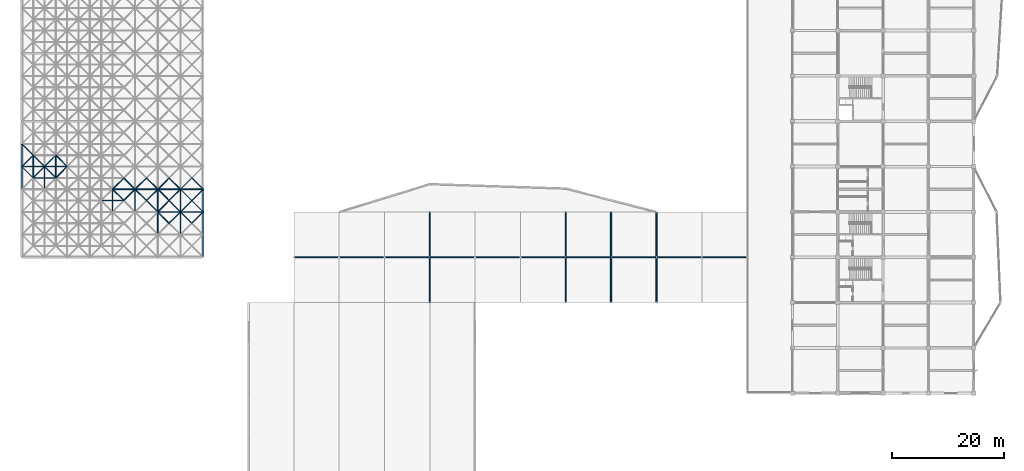
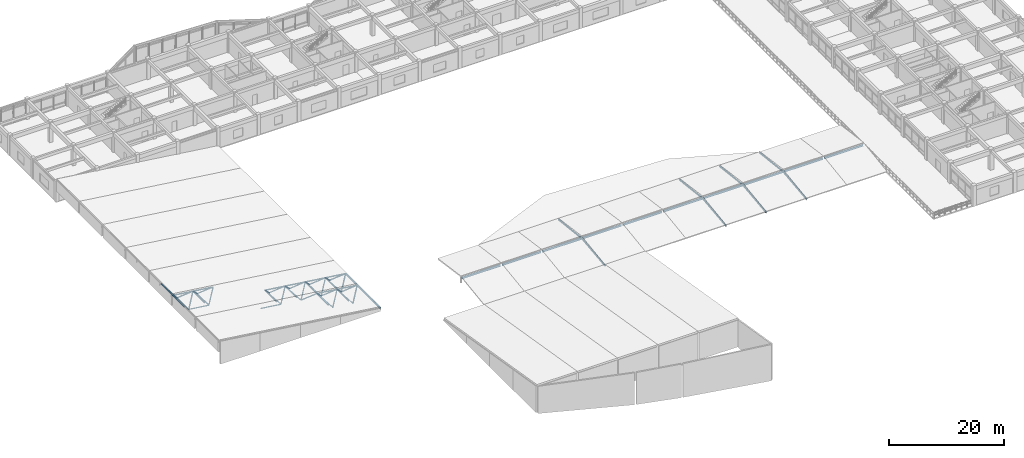
# One storey, part 16 of 70: 66 members, 6 beams.
"""IFC4 building model written with IfcOpenShell, lengths in metres."""

import ifcopenshell
import ifcopenshell.guid

model = None  # the IFC model being written
_history = None  # IfcOwnerHistory: only IFC2X3 demands one
_inside = {}  # id of a spatial element -> (the spatial element, [elements in it])
_under = {}  # id of a project, library or spatial element -> (it, [spatial elements below it])
_declared = {}  # id of a project -> (the project, [libraries it declares])
_typed = {}  # id of a type object -> (the type object, [elements of that type])
_made_of = {}  # id of a material, layer set ... -> (it, [elements and type objects made of it])


def new_model(schema):
    """Start an empty IFC model of exactly this schema.

    Asked for "IFC4X3", IfcOpenShell would pick the latest addendum, in which some entities
    have other attributes; the version numbers below select the first issue.
    IFC2X3 requires an IfcOwnerHistory on every rooted entity: one is made here for all.
    """
    global model, _history
    if schema == "IFC4X3":
        model = ifcopenshell.file(schema_version=(4, 3, 0, 0))
    else:
        model = ifcopenshell.file(schema=schema)
    _inside.clear()
    _under.clear()
    _declared.clear()
    _typed.clear()
    _made_of.clear()
    _history = None
    if model.schema == "IFC2X3":
        org = make("IfcOrganization", Name="unknown")
        user = make(
            "IfcPersonAndOrganization",
            ThePerson=make("IfcPerson", FamilyName="unknown"),
            TheOrganization=org,
        )
        app = make(
            "IfcApplication",
            ApplicationDeveloper=org,
            Version="unknown",
            ApplicationFullName="unknown",
            ApplicationIdentifier="unknown",
        )
        _history = make(
            "IfcOwnerHistory",
            OwningUser=user,
            OwningApplication=app,
            ChangeAction="ADDED",
            CreationDate=0,
        )
    return model


def make(cls, **values):
    """One entity of the class cls with the attributes given. An attribute that is None is left unset."""
    return model.create_entity(
        cls, **{name: value for name, value in values.items() if value is not None}
    )


def rooted(cls, **values):
    """An entity with a GlobalId (a new one), such as an element, a storey or a relation."""
    return make(cls, GlobalId=ifcopenshell.guid.new(), OwnerHistory=_history, **values)


def si_unit(unit_type, name, prefix=None):
    """IfcSIUnit, for example si_unit("LENGTHUNIT", "METRE", prefix="MILLI")."""
    return make("IfcSIUnit", UnitType=unit_type, Prefix=prefix, Name=name)


def assignment(units):
    """IfcUnitAssignment: the units of a project."""
    return None if units is None else make("IfcUnitAssignment", Units=units)


def point(xyz):
    """IfcCartesianPoint."""
    return None if xyz is None else make("IfcCartesianPoint", Coordinates=xyz)


def direction(xyz):
    """IfcDirection."""
    return None if xyz is None else make("IfcDirection", DirectionRatios=xyz)


def frame(location, z_axis=None, x_axis=None):
    """IfcAxis2Placement3D, a coordinate frame: its origin and axes. An axis left out is left unset."""
    return make(
        "IfcAxis2Placement3D",
        Location=point(location),
        Axis=direction(z_axis),
        RefDirection=direction(x_axis),
    )


def frame_2d(location, x_axis=None):
    """IfcAxis2Placement2D, a coordinate frame in the plane: its origin and x axis."""
    return make(
        "IfcAxis2Placement2D", Location=point(location), RefDirection=direction(x_axis)
    )


def origin():
    """The frame at (0, 0, 0) with its axes left unset."""
    return frame((0.0, 0.0, 0.0))


def origin_2d():
    """The frame at (0, 0) in the plane with its x axis left unset."""
    return frame_2d((0.0, 0.0))


def place(relative_to, where):
    """IfcLocalPlacement: puts the frame where relative to a parent placement (None: the world)."""
    return make(
        "IfcLocalPlacement", PlacementRelTo=relative_to, RelativePlacement=where
    )


def context(
    kind, dimensions, precision=None, world=None, true_north=None, identifier=None
):
    """IfcGeometricRepresentationContext, for example the 3D "Model" context."""
    return make(
        "IfcGeometricRepresentationContext",
        ContextIdentifier=identifier,
        ContextType=kind,
        CoordinateSpaceDimension=dimensions,
        Precision=precision,
        WorldCoordinateSystem=world,
        TrueNorth=true_north,
    )


def subcontext(parent, identifier, kind, view, scale=None):
    """IfcGeometricRepresentationSubContext, for example "Body" below "Model"."""
    return make(
        "IfcGeometricRepresentationSubContext",
        ContextIdentifier=identifier,
        ContextType=kind,
        ParentContext=parent,
        TargetScale=scale,
        TargetView=view,
    )


def project(units=None, contexts=None):
    """IfcProject with its units and contexts."""
    return rooted(
        "IfcProject",
        Name="project",
        RepresentationContexts=contexts,
        UnitsInContext=assignment(units),
    )


def spatial(cls, under=None, at=None, **own):
    """A site, building, storey or space (cls), placed at a placement, below another one or the project."""
    s = rooted(cls, ObjectPlacement=at, **own)
    if under is not None:
        _under.setdefault(under.id(), (under, []))[1].append(s)
    return s


def profile(cls, at=None, kind="AREA", **sizes):
    """A parametric profile (cls). Its sizes go by their IFC names, for example OverallWidth=200.0."""
    return make(cls, ProfileType=kind, Position=at, **sizes)


def hollow_rectangle(**sizes):
    """IfcRectangleHollowProfileDef."""
    return profile("IfcRectangleHollowProfileDef", **sizes)


def hollow_circle(**sizes):
    """IfcCircleHollowProfileDef."""
    return profile("IfcCircleHollowProfileDef", **sizes)


def i_section(**sizes):
    """IfcIShapeProfileDef."""
    return profile("IfcIShapeProfileDef", **sizes)


def extrude(swept, where, along, depth):
    """IfcExtrudedAreaSolid: the profile swept, set in the frame where, extruded along a direction by depth."""
    return make(
        "IfcExtrudedAreaSolid",
        SweptArea=swept,
        Position=where,
        ExtrudedDirection=direction(along),
        Depth=depth,
    )


def shape(context_of_items, identifier, shape_type, items):
    """IfcShapeRepresentation: the items that make up one representation, for example the "Body"."""
    return make(
        "IfcShapeRepresentation",
        ContextOfItems=context_of_items,
        RepresentationIdentifier=identifier,
        RepresentationType=shape_type,
        Items=items,
    )


def material(Name=None, Category=None):
    """IfcMaterial."""
    return make("IfcMaterial", Name=Name, Category=Category)


def material_profile(
    of_material, cross_section, Name=None, Category=None, Priority=None
):
    """IfcMaterialProfile: a cross section and its material."""
    return make(
        "IfcMaterialProfile",
        Name=Name,
        Material=of_material,
        Profile=cross_section,
        Priority=Priority,
        Category=Category,
    )


def profile_set(profiles, Name=None, composite=None):
    """IfcMaterialProfileSet."""
    return make(
        "IfcMaterialProfileSet",
        Name=Name,
        MaterialProfiles=profiles,
        CompositeProfile=composite,
    )


def made_of(thing, what):
    """Note that an element or type object is made of a material, layer set ...; save() writes the relation."""
    if what is not None:
        _made_of.setdefault(what.id(), (what, []))[1].append(thing)
    return thing


def type_object(cls, material=None, **own):
    """A type object (cls), such as IfcWallType, which elements share."""
    return made_of(rooted(cls, **own), material)


def element(
    cls,
    number,
    at=None,
    inside=None,
    cuts=None,
    type_object=None,
    material=None,
    context=None,
    identifier="Body",
    shape_type=None,
    held_by="IfcProductDefinitionShape",
    body=None,
    shapes=None,
    **own,
):
    """One element of the class cls, such as IfcWall. Its Tag is "e" and its number.

    at: its placement. inside: the storey or other place that contains it. cuts: it is an
    opening in that element (IfcRelVoidsElement). A single representation is given by context,
    identifier, shape_type and body (its items); several are given by shapes. held_by: the class
    of the entity that holds the representations. save() writes the other relations.
    """
    e = rooted(cls, Tag="e%d" % number, ObjectPlacement=at, **own)
    if body is not None:
        shapes = [shape(context, identifier, shape_type, body)]
    if shapes is not None:
        e.Representation = make(held_by, Representations=shapes)
    if inside is not None:
        _inside.setdefault(inside.id(), (inside, []))[1].append(e)
    if cuts is not None:
        rooted(
            "IfcRelVoidsElement", RelatingBuildingElement=cuts, RelatedOpeningElement=e
        )
    if type_object is not None:
        _typed.setdefault(type_object.id(), (type_object, []))[1].append(e)
    return made_of(e, material)


def aggregate(whole, parts):
    """IfcRelAggregates: a whole, such as a stair, and the parts it consists of."""
    return rooted("IfcRelAggregates", RelatingObject=whole, RelatedObjects=parts)


def save(model, path):
    """Write the relations noted so far, then the file.

    IfcRelAggregates (storeys below a building ...), IfcRelContainedInSpatialStructure (elements
    in a storey), IfcRelDefinesByType, IfcRelAssociatesMaterial and IfcRelDeclares: one each for
    every whole, place, type object, material and project.
    """
    for whole, parts in _under.values():
        aggregate(whole, parts)
    for where, things in _inside.values():
        rooted(
            "IfcRelContainedInSpatialStructure",
            RelatedElements=things,
            RelatingStructure=where,
        )
    for kind, things in _typed.values():
        rooted("IfcRelDefinesByType", RelatedObjects=things, RelatingType=kind)
    for what, things in _made_of.values():
        rooted("IfcRelAssociatesMaterial", RelatedObjects=things, RelatingMaterial=what)
    for by, libraries in _declared.values():
        rooted("IfcRelDeclares", RelatingContext=by, RelatedDefinitions=libraries)
    model.write(path)


model = new_model("IFC4")

# Units and contexts
model_context = context("Model", 3, precision=1e-05, world=origin(), true_north=direction((0.0, 1.0)))
body_context = subcontext(model_context, "Body", "Model", "MODEL_VIEW")
ifc_project = project(units=[si_unit("LENGTHUNIT", "METRE"), si_unit("AREAUNIT", "SQUARE_METRE"), si_unit("VOLUMEUNIT", "CUBIC_METRE"), si_unit("PLANEANGLEUNIT", "RADIAN"), si_unit("MASSUNIT", "GRAM", prefix="KILO")], contexts=[model_context])

# Site, building, storey
site_placement = place(None, origin())
site = spatial("IfcSite", under=ifc_project, at=site_placement, CompositionType="ELEMENT")
building_placement = place(site_placement, origin())
building = spatial("IfcBuilding", under=site, at=building_placement, Name="Vaudrelin Polytechnic", CompositionType="ELEMENT")
storey_placement = place(building_placement, frame((0.0, 0.0, 14.110107421875)))
storey = spatial("IfcBuildingStorey", under=building, at=storey_placement, Name="L03", CompositionType="ELEMENT", Elevation=14.110107421875)

# Beams
ifc_material_1 = material(Name="Steel CSA G40.21 350W", Category="steel")
ifc_material_profile_1 = material_profile(ifc_material_1, i_section(OverallWidth=0.178955078125, OverallDepth=0.409912109375, WebThickness=0.0087890625, FlangeThickness=0.014404296875, FilletRadius=0.01611328125, at=origin_2d()), Name="W410x67")
ifc_profile_set_1 = profile_set([ifc_material_profile_1], Name="Steel CSA G40.21 350W")
beam_type = type_object("IfcBeamType", Name="BM-BM-W410", PredefinedType="BEAM", material=ifc_profile_set_1)
beam_1_placement = place(storey_placement, frame((48.719970703125, 40.5, 0.933349609375), z_axis=(1.0, 0.0, 0.0), x_axis=(0.0, 1.0, 0.0)))
element("IfcBeam", 1, at=beam_1_placement, inside=storey, type_object=beam_type, Name="Winter-garden skylight ridge spine beam 1", PredefinedType="BEAM", context=body_context, shape_type="SweptSolid", body=[
    extrude(i_section(OverallWidth=0.178955078125, OverallDepth=0.409912109375, WebThickness=0.0087890625, FlangeThickness=0.014404296875, FilletRadius=0.01611328125, at=origin_2d()), origin(), (0.0, 0.0, 1.0), 7.860107421875),
])
beam_2_placement = place(storey_placement, frame((56.820068359375, 40.5, 0.933349609375), z_axis=(1.0, 0.0, 0.0), x_axis=(0.0, 1.0, 0.0)))
element("IfcBeam", 2, at=beam_2_placement, inside=storey, type_object=beam_type, Name="Winter-garden skylight ridge spine beam 2", PredefinedType="BEAM", context=body_context, shape_type="SweptSolid", body=[
    extrude(i_section(OverallWidth=0.178955078125, OverallDepth=0.409912109375, WebThickness=0.0087890625, FlangeThickness=0.014404296875, FilletRadius=0.01611328125, at=origin_2d()), origin(), (0.0, 0.0, 1.0), 7.85986328125),
])
beam_3_placement = place(storey_placement, frame((64.919921875, 40.5, 0.933349609375), z_axis=(1.0, 0.0, 0.0), x_axis=(0.0, 1.0, 0.0)))
element("IfcBeam", 3, at=beam_3_placement, inside=storey, type_object=beam_type, Name="Winter-garden skylight ridge spine beam 3", PredefinedType="BEAM", context=body_context, shape_type="SweptSolid", body=[
    extrude(i_section(OverallWidth=0.178955078125, OverallDepth=0.409912109375, WebThickness=0.0087890625, FlangeThickness=0.014404296875, FilletRadius=0.01611328125, at=origin_2d()), origin(), (0.0, 0.0, 1.0), 15.9599609375),
])
beam_4_placement = place(storey_placement, frame((81.1201171875, 40.5, 0.933349609375), z_axis=(1.0, 0.0, 0.0), x_axis=(0.0, 1.0, 0.0)))
element("IfcBeam", 4, at=beam_4_placement, inside=storey, type_object=beam_type, Name="Winter-garden skylight ridge spine beam 4", PredefinedType="BEAM", context=body_context, shape_type="SweptSolid", body=[
    extrude(i_section(OverallWidth=0.178955078125, OverallDepth=0.409912109375, WebThickness=0.0087890625, FlangeThickness=0.014404296875, FilletRadius=0.01611328125, at=origin_2d()), origin(), (0.0, 0.0, 1.0), 7.85986328125),
])
beam_5_placement = place(storey_placement, frame((89.219970703125, 40.5, 0.933349609375), z_axis=(1.0, 0.0, 0.0), x_axis=(0.0, 1.0, 0.0)))
element("IfcBeam", 5, at=beam_5_placement, inside=storey, type_object=beam_type, Name="Winter-garden skylight ridge spine beam 5", PredefinedType="BEAM", context=body_context, shape_type="SweptSolid", body=[
    extrude(i_section(OverallWidth=0.178955078125, OverallDepth=0.409912109375, WebThickness=0.0087890625, FlangeThickness=0.014404296875, FilletRadius=0.01611328125, at=origin_2d()), origin(), (0.0, 0.0, 1.0), 32.159912109375),
])
beam_6_placement = place(storey_placement, frame((121.6201171875, 40.5, 0.933349609375), z_axis=(1.0, 0.0, 0.0), x_axis=(0.0, 1.0, 0.0)))
element("IfcBeam", 6, at=beam_6_placement, inside=storey, type_object=beam_type, Name="Winter-garden skylight ridge spine beam 6", PredefinedType="BEAM", context=body_context, shape_type="SweptSolid", body=[
    extrude(i_section(OverallWidth=0.178955078125, OverallDepth=0.409912109375, WebThickness=0.0087890625, FlangeThickness=0.014404296875, FilletRadius=0.01611328125, at=origin_2d()), origin(), (0.0, 0.0, 1.0), 7.85986328125),
])

# Members
ifc_material_2 = material(Name="Steel CSA G40.21 350WT", Category="steel")
ifc_material_profile_2 = material_profile(ifc_material_2, hollow_circle(Radius=0.109619140625, WallThickness=0.010986328125, at=origin_2d()), Name="CHS219.1x11.1")
ifc_profile_set_2 = profile_set([ifc_material_profile_2], Name="Steel CSA G40.21 350WT")
member_type_1 = type_object("IfcMemberType", Name="MEM-SF-BC1", PredefinedType="CHORD", material=ifc_profile_set_2)
for number, where, z_axis, x_axis, name in (
    (7, (14.175048828125, 50.625, 0.439208984375), (0.991444732077, 0.0, -0.130527174324), (0.0, 1.0, 0.0), "Space frame bottom chord X 4-3"),
    (8, (2.02490234375, 54.675048828125, 2.038818359375), (0.991444732077, 0.0, -0.130527174324), (0.0, 1.0, 0.0), "Space frame bottom chord X 1-4"),
):
    element("IfcMember", number, at=place(storey_placement, frame(where, z_axis=z_axis, x_axis=x_axis)), inside=storey, type_object=member_type_1, Name=name, PredefinedType="CHORD", context=body_context, shape_type="SweptSolid", body=[
        extrude(hollow_circle(Radius=0.109619140625, WallThickness=0.010986328125, at=origin_2d()), origin(), (0.0, 0.0, 1.0), 4.0849609375),
    ])
for number, where, z_axis, x_axis, name in (
    (9, (2.02490234375, 54.675048828125, 2.038818359375), (0.0, 1.0, 0.0), (-1.0, 0.0, 0.0), "Space frame bottom chord Y 1-4"),
    (10, (6.074951171875, 54.675048828125, 1.505615234375), (0.0, 1.0, 0.0), (-1.0, 0.0, 0.0), "Space frame bottom chord Y 2-4"),
):
    element("IfcMember", number, at=place(storey_placement, frame(where, z_axis=z_axis, x_axis=x_axis)), inside=storey, type_object=member_type_1, Name=name, PredefinedType="CHORD", context=body_context, shape_type="SweptSolid", body=[
        extrude(hollow_circle(Radius=0.109619140625, WallThickness=0.010986328125, at=origin_2d()), origin(), (0.0, 0.0, 1.0), 4.050048828125),
    ])
ifc_material_profile_3 = material_profile(ifc_material_2, hollow_rectangle(XDim=0.202880859375, YDim=0.202880859375, WallThickness=0.009521484375, InnerFilletRadius=0.009521484375, OuterFilletRadius=0.01904296875, at=origin_2d()), Name="HSS203x203x9.5")
ifc_profile_set_3 = profile_set([ifc_material_profile_3], Name="Steel CSA G40.21 350WT")
member_type_2 = type_object("IfcMemberType", Name="MEM-SF-TC1", PredefinedType="CHORD", material=ifc_profile_set_3)
member_1_placement = place(storey_placement, frame((24.300048828125, 48.60009765625, 1.306396484375), z_axis=(0.991444732077, 0.0, -0.130527174324), x_axis=(0.0, 1.0, 0.0)))
element("IfcMember", 11, at=member_1_placement, inside=storey, type_object=member_type_2, Name="Space frame top chord X 7-3", PredefinedType="CHORD", context=body_context, shape_type="SweptSolid", body=[
    extrude(hollow_rectangle(XDim=0.202880859375, YDim=0.202880859375, WallThickness=0.009521484375, InnerFilletRadius=0.009521484375, OuterFilletRadius=0.01904296875, at=origin_2d()), origin(), (0.0, 0.0, 1.0), 4.0849609375),
])
member_2_placement = place(storey_placement, frame((28.35009765625, 48.60009765625, 0.773193359375), z_axis=(0.991443713746, 0.0, -0.13053490902), x_axis=(0.0, 1.0, 0.0)))
element("IfcMember", 12, at=member_2_placement, inside=storey, type_object=member_type_2, Name="Space frame top chord X 8-3", PredefinedType="CHORD", context=body_context, shape_type="SweptSolid", body=[
    extrude(hollow_rectangle(XDim=0.202880859375, YDim=0.202880859375, WallThickness=0.009521484375, InnerFilletRadius=0.009521484375, OuterFilletRadius=0.01904296875, at=origin_2d()), origin(), (0.0, 0.0, 1.0), 4.084716796875),
])
for number, where, z_axis, x_axis, name in (
    (13, (16.199951171875, 52.64990234375, 2.372802734375), (0.991444732077, 0.0, -0.130527174324), (0.0, 1.0, 0.0), "Space frame top chord X 5-4"),
    (14, (20.25, 52.64990234375, 1.839599609375), (0.991444732077, 0.0, -0.130527174324), (0.0, 1.0, 0.0), "Space frame top chord X 6-4"),
    (15, (24.300048828125, 52.64990234375, 1.306396484375), (0.991444732077, 0.0, -0.130527174324), (0.0, 1.0, 0.0), "Space frame top chord X 7-4"),
):
    element("IfcMember", number, at=place(storey_placement, frame(where, z_axis=z_axis, x_axis=x_axis)), inside=storey, type_object=member_type_2, Name=name, PredefinedType="CHORD", context=body_context, shape_type="SweptSolid", body=[
        extrude(hollow_rectangle(XDim=0.202880859375, YDim=0.202880859375, WallThickness=0.009521484375, InnerFilletRadius=0.009521484375, OuterFilletRadius=0.01904296875, at=origin_2d()), origin(), (0.0, 0.0, 1.0), 4.0849609375),
    ])
member_3_placement = place(storey_placement, frame((28.35009765625, 52.64990234375, 0.773193359375), z_axis=(0.991443713746, 0.0, -0.13053490902), x_axis=(0.0, 1.0, 0.0)))
element("IfcMember", 16, at=member_3_placement, inside=storey, type_object=member_type_2, Name="Space frame top chord X 8-4", PredefinedType="CHORD", context=body_context, shape_type="SweptSolid", body=[
    extrude(hollow_rectangle(XDim=0.202880859375, YDim=0.202880859375, WallThickness=0.009521484375, InnerFilletRadius=0.009521484375, OuterFilletRadius=0.01904296875, at=origin_2d()), origin(), (0.0, 0.0, 1.0), 4.084716796875),
])
for number, where, z_axis, x_axis, name in (
    (17, (0.0, 56.699951171875, 4.50537109375), (0.991444732077, 0.0, -0.130527174324), (0.0, 1.0, 0.0), "Space frame top chord X 1-5"),
    (18, (4.050048828125, 56.699951171875, 3.97216796875), (0.991452464639, 0.0, -0.130468426687), (0.0, 1.0, 0.0), "Space frame top chord X 2-5"),
):
    element("IfcMember", number, at=place(storey_placement, frame(where, z_axis=z_axis, x_axis=x_axis)), inside=storey, type_object=member_type_2, Name=name, PredefinedType="CHORD", context=body_context, shape_type="SweptSolid", body=[
        extrude(hollow_rectangle(XDim=0.202880859375, YDim=0.202880859375, WallThickness=0.009521484375, InnerFilletRadius=0.009521484375, OuterFilletRadius=0.01904296875, at=origin_2d()), origin(), (0.0, 0.0, 1.0), 4.0849609375),
    ])
member_4_placement = place(storey_placement, frame((4.050048828125, 52.64990234375, 3.97216796875), z_axis=(0.0, 1.0, 0.0), x_axis=(-1.0, 0.0, 0.0)))
element("IfcMember", 19, at=member_4_placement, inside=storey, type_object=member_type_2, Name="Space frame top chord Y 2-4", PredefinedType="CHORD", context=body_context, shape_type="SweptSolid", body=[
    extrude(hollow_rectangle(XDim=0.202880859375, YDim=0.202880859375, WallThickness=0.009521484375, InnerFilletRadius=0.009521484375, OuterFilletRadius=0.01904296875, at=origin_2d()), origin(), (0.0, 0.0, 1.0), 4.050048828125),
])
for number, where, z_axis, x_axis, name in (
    (20, (16.199951171875, 48.60009765625, 2.372802734375), (0.0, 1.0, 0.0), (-1.0, 0.0, 0.0), "Space frame top chord Y 5-3"),
    (21, (20.25, 48.60009765625, 1.839599609375), (0.0, 1.0, 0.0), (-1.0, 0.0, 0.0), "Space frame top chord Y 6-3"),
):
    element("IfcMember", number, at=place(storey_placement, frame(where, z_axis=z_axis, x_axis=x_axis)), inside=storey, type_object=member_type_2, Name=name, PredefinedType="CHORD", context=body_context, shape_type="SweptSolid", body=[
        extrude(hollow_rectangle(XDim=0.202880859375, YDim=0.202880859375, WallThickness=0.009521484375, InnerFilletRadius=0.009521484375, OuterFilletRadius=0.01904296875, at=origin_2d()), origin(), (0.0, 0.0, 1.0), 4.0498046875),
    ])
member_5_placement = place(storey_placement, frame((24.300048828125, 44.550048828125, 1.306396484375), z_axis=(0.0, 1.0, 0.0), x_axis=(-1.0, 0.0, 0.0)))
element("IfcMember", 22, at=member_5_placement, inside=storey, type_object=member_type_2, Name="Space frame top chord Y 7-2", PredefinedType="CHORD", context=body_context, shape_type="SweptSolid", body=[
    extrude(hollow_rectangle(XDim=0.202880859375, YDim=0.202880859375, WallThickness=0.009521484375, InnerFilletRadius=0.009521484375, OuterFilletRadius=0.01904296875, at=origin_2d()), origin(), (0.0, 0.0, 1.0), 4.050048828125),
])
member_6_placement = place(storey_placement, frame((24.300048828125, 48.60009765625, 1.306396484375), z_axis=(0.0, 1.0, 0.0), x_axis=(-1.0, 0.0, 0.0)))
element("IfcMember", 23, at=member_6_placement, inside=storey, type_object=member_type_2, Name="Space frame top chord Y 7-3", PredefinedType="CHORD", context=body_context, shape_type="SweptSolid", body=[
    extrude(hollow_rectangle(XDim=0.202880859375, YDim=0.202880859375, WallThickness=0.009521484375, InnerFilletRadius=0.009521484375, OuterFilletRadius=0.01904296875, at=origin_2d()), origin(), (0.0, 0.0, 1.0), 4.0498046875),
])
member_7_placement = place(storey_placement, frame((28.35009765625, 44.550048828125, 0.773193359375), z_axis=(0.0, 1.0, 0.0), x_axis=(-1.0, 0.0, 0.0)))
element("IfcMember", 24, at=member_7_placement, inside=storey, type_object=member_type_2, Name="Space frame top chord Y 8-2", PredefinedType="CHORD", context=body_context, shape_type="SweptSolid", body=[
    extrude(hollow_rectangle(XDim=0.202880859375, YDim=0.202880859375, WallThickness=0.009521484375, InnerFilletRadius=0.009521484375, OuterFilletRadius=0.01904296875, at=origin_2d()), origin(), (0.0, 0.0, 1.0), 4.050048828125),
])
member_8_placement = place(storey_placement, frame((28.35009765625, 48.60009765625, 0.773193359375), z_axis=(0.0, 1.0, 0.0), x_axis=(-1.0, 0.0, 0.0)))
element("IfcMember", 25, at=member_8_placement, inside=storey, type_object=member_type_2, Name="Space frame top chord Y 8-3", PredefinedType="CHORD", context=body_context, shape_type="SweptSolid", body=[
    extrude(hollow_rectangle(XDim=0.202880859375, YDim=0.202880859375, WallThickness=0.009521484375, InnerFilletRadius=0.009521484375, OuterFilletRadius=0.01904296875, at=origin_2d()), origin(), (0.0, 0.0, 1.0), 4.0498046875),
])
ifc_material_profile_4 = material_profile(ifc_material_2, hollow_rectangle(XDim=0.25390625, YDim=0.25390625, WallThickness=0.0126953125, InnerFilletRadius=0.0126953125, OuterFilletRadius=0.025390625, at=origin_2d()), Name="HSS254x254x12.7")
ifc_profile_set_4 = profile_set([ifc_material_profile_4], Name="Steel CSA G40.21 350WT")
member_type_3 = type_object("IfcMemberType", Name="MEM-SF-TC2", PredefinedType="CHORD", material=ifc_profile_set_4)
for number, where, z_axis, x_axis, name in (
    (26, (0.0, 52.64990234375, 4.50537109375), (0.0, 1.0, 0.0), (-1.0, 0.0, 0.0), "Space frame top chord Y 1-4"),
    (27, (0.0, 56.699951171875, 4.50537109375), (0.0, 1.0, 0.0), (-1.0, 0.0, 0.0), "Space frame top chord Y 1-5"),
    (28, (32.39990234375, 40.5, 0.239990234375), (0.0, 1.0, 0.0), (-1.0, 0.0, 0.0), "Space frame top chord Y 9-1"),
    (29, (32.39990234375, 44.550048828125, 0.239990234375), (0.0, 1.0, 0.0), (-1.0, 0.0, 0.0), "Space frame top chord Y 9-2"),
):
    element("IfcMember", number, at=place(storey_placement, frame(where, z_axis=z_axis, x_axis=x_axis)), inside=storey, type_object=member_type_3, Name=name, PredefinedType="CHORD", context=body_context, shape_type="SweptSolid", body=[
        extrude(hollow_rectangle(XDim=0.25390625, YDim=0.25390625, WallThickness=0.0126953125, InnerFilletRadius=0.0126953125, OuterFilletRadius=0.025390625, at=origin_2d()), origin(), (0.0, 0.0, 1.0), 4.050048828125),
    ])
member_9_placement = place(storey_placement, frame((32.39990234375, 48.60009765625, 0.239990234375), z_axis=(0.0, 1.0, 0.0), x_axis=(-1.0, 0.0, 0.0)))
element("IfcMember", 30, at=member_9_placement, inside=storey, type_object=member_type_3, Name="Space frame top chord Y 9-3", PredefinedType="CHORD", context=body_context, shape_type="SweptSolid", body=[
    extrude(hollow_rectangle(XDim=0.25390625, YDim=0.25390625, WallThickness=0.0126953125, InnerFilletRadius=0.0126953125, OuterFilletRadius=0.025390625, at=origin_2d()), origin(), (0.0, 0.0, 1.0), 4.0498046875),
])
ifc_material_profile_5 = material_profile(ifc_material_2, hollow_circle(Radius=0.06982421875, WallThickness=0.008056640625, at=origin_2d()), Name="CHS139.7x8.0")
ifc_profile_set_5 = profile_set([ifc_material_profile_5], Name="Steel CSA G40.21 350WT")
member_type_4 = type_object("IfcMemberType", Name="MEM-SF-WB1", PredefinedType="BRACE", material=ifc_profile_set_5)
member_10_placement = place(storey_placement, frame((6.074951171875, 54.675048828125, 1.505615234375), z_axis=(0.586070753284, 0.586000099787, 0.559575692105), x_axis=(-0.707064154862, 0.707149404941, 0.0)))
element("IfcMember", 31, at=member_10_placement, inside=storey, type_object=member_type_4, Name="Space frame web diagonal 2.4.3", PredefinedType="BRACE", context=body_context, shape_type="SweptSolid", body=[
    extrude(hollow_circle(Radius=0.06982421875, WallThickness=0.008056640625, at=origin_2d()), origin(), (0.0, 0.0, 1.0), 3.45556640625),
])
for number, where, z_axis, x_axis, name in (
    (32, (6.074951171875, 54.675048828125, 1.505615234375), (-0.535764547812, 0.535764547812, 0.652619872986), (-0.707106781187, -0.707106781187, 0.0), "Space frame web diagonal 2.4.4"),
    (33, (6.074951171875, 58.72509765625, 1.505615234375), (-0.535746005601, -0.535810600007, 0.652597286543), (0.707149404941, -0.707064154862, 0.0), "Space frame web diagonal 2.5.1"),
):
    element("IfcMember", number, at=place(storey_placement, frame(where, z_axis=z_axis, x_axis=x_axis)), inside=storey, type_object=member_type_4, Name=name, PredefinedType="BRACE", context=body_context, shape_type="SweptSolid", body=[
        extrude(hollow_circle(Radius=0.06982421875, WallThickness=0.008056640625, at=origin_2d()), origin(), (0.0, 0.0, 1.0), 3.779541015625),
    ])
member_11_placement = place(storey_placement, frame((6.074951171875, 58.72509765625, 1.505615234375), z_axis=(0.586046488267, -0.586046488267, 0.559552524059), x_axis=(0.707106781187, 0.707106781187, 0.0)))
element("IfcMember", 34, at=member_11_placement, inside=storey, type_object=member_type_4, Name="Space frame web diagonal 2.5.2", PredefinedType="BRACE", context=body_context, shape_type="SweptSolid", body=[
    extrude(hollow_circle(Radius=0.06982421875, WallThickness=0.008056640625, at=origin_2d()), origin(), (0.0, 0.0, 1.0), 3.45556640625),
])
member_12_placement = place(storey_placement, frame((18.22509765625, 50.625, -0.093994140625), z_axis=(0.586024364893, 0.586024364893, 0.559598863028), x_axis=(-0.707106781187, 0.707106781187, 0.0)))
element("IfcMember", 35, at=member_12_placement, inside=storey, type_object=member_type_4, Name="Space frame web diagonal 5.3.3", PredefinedType="BRACE", context=body_context, shape_type="SweptSolid", body=[
    extrude(hollow_circle(Radius=0.06982421875, WallThickness=0.008056640625, at=origin_2d()), origin(), (0.0, 0.0, 1.0), 3.455322265625),
])
for number, where, z_axis, x_axis, name in (
    (36, (18.22509765625, 50.625, -0.093994140625), (-0.535788013686, 0.535723422002, 0.65263436893), (-0.707064154862, -0.707149404941, 0.0), "Space frame web diagonal 5.3.4"),
    (37, (18.22509765625, 54.675048828125, -0.093994140625), (-0.535769473509, -0.535769473509, 0.652611785453), (0.707106781187, -0.707106781187, 0.0), "Space frame web diagonal 5.4.1"),
):
    element("IfcMember", number, at=place(storey_placement, frame(where, z_axis=z_axis, x_axis=x_axis)), inside=storey, type_object=member_type_4, Name=name, PredefinedType="BRACE", context=body_context, shape_type="SweptSolid", body=[
        extrude(hollow_circle(Radius=0.06982421875, WallThickness=0.008056640625, at=origin_2d()), origin(), (0.0, 0.0, 1.0), 3.77978515625),
    ])
for number, where, z_axis, x_axis, name in (
    (38, (18.22509765625, 54.675048828125, -0.093994140625), (0.586000099787, -0.586070753284, 0.559575692105), (0.707149404941, 0.707064154862, 0.0), "Space frame web diagonal 5.4.2"),
    (39, (22.27490234375, 50.625, -0.627197265625), (0.586070753284, -0.586000099787, 0.559575692105), (0.707064154862, 0.707149404941, 0.0), "Space frame web diagonal 6.3.2"),
    (40, (22.27490234375, 50.625, -0.627197265625), (0.586070753284, 0.586000099787, 0.559575692105), (-0.707064154862, 0.707149404941, 0.0), "Space frame web diagonal 6.3.3"),
):
    element("IfcMember", number, at=place(storey_placement, frame(where, z_axis=z_axis, x_axis=x_axis)), inside=storey, type_object=member_type_4, Name=name, PredefinedType="BRACE", context=body_context, shape_type="SweptSolid", body=[
        extrude(hollow_circle(Radius=0.06982421875, WallThickness=0.008056640625, at=origin_2d()), origin(), (0.0, 0.0, 1.0), 3.45556640625),
    ])
member_13_placement = place(storey_placement, frame((22.27490234375, 50.625, -0.627197265625), z_axis=(-0.535741961868, 0.535741961868, 0.652656954753), x_axis=(-0.707106781187, -0.707106781187, 0.0)))
element("IfcMember", 41, at=member_13_placement, inside=storey, type_object=member_type_4, Name="Space frame web diagonal 6.3.4", PredefinedType="BRACE", context=body_context, shape_type="SweptSolid", body=[
    extrude(hollow_circle(Radius=0.06982421875, WallThickness=0.008056640625, at=origin_2d()), origin(), (0.0, 0.0, 1.0), 3.779541015625),
])
member_14_placement = place(storey_placement, frame((22.27490234375, 54.675048828125, -0.627197265625), z_axis=(-0.535723422002, -0.535788013686, 0.65263436893), x_axis=(0.707149404941, -0.707064154862, 0.0)))
element("IfcMember", 42, at=member_14_placement, inside=storey, type_object=member_type_4, Name="Space frame web diagonal 6.4.1", PredefinedType="BRACE", context=body_context, shape_type="SweptSolid", body=[
    extrude(hollow_circle(Radius=0.06982421875, WallThickness=0.008056640625, at=origin_2d()), origin(), (0.0, 0.0, 1.0), 3.77978515625),
])
for number, where, z_axis, x_axis, name in (
    (43, (22.27490234375, 54.675048828125, -0.627197265625), (0.586046488267, -0.586046488267, 0.559552524059), (0.707106781187, 0.707106781187, 0.0), "Space frame web diagonal 6.4.2"),
    (44, (26.324951171875, 46.574951171875, -1.160400390625), (0.586046488267, 0.586046488267, 0.559552524059), (-0.707106781187, 0.707106781187, 0.0), "Space frame web diagonal 7.2.3"),
):
    element("IfcMember", number, at=place(storey_placement, frame(where, z_axis=z_axis, x_axis=x_axis)), inside=storey, type_object=member_type_4, Name=name, PredefinedType="BRACE", context=body_context, shape_type="SweptSolid", body=[
        extrude(hollow_circle(Radius=0.06982421875, WallThickness=0.008056640625, at=origin_2d()), origin(), (0.0, 0.0, 1.0), 3.45556640625),
    ])
member_15_placement = place(storey_placement, frame((26.324951171875, 46.574951171875, -1.160400390625), z_axis=(-0.535723422002, 0.535788013686, 0.65263436893), x_axis=(-0.707149404941, -0.707064154862, 0.0)))
element("IfcMember", 45, at=member_15_placement, inside=storey, type_object=member_type_4, Name="Space frame web diagonal 7.2.4", PredefinedType="BRACE", context=body_context, shape_type="SweptSolid", body=[
    extrude(hollow_circle(Radius=0.06982421875, WallThickness=0.008056640625, at=origin_2d()), origin(), (0.0, 0.0, 1.0), 3.77978515625),
])
member_16_placement = place(storey_placement, frame((26.324951171875, 50.625, -1.160400390625), z_axis=(-0.535741961868, -0.535741961868, 0.652656954753), x_axis=(0.707106781187, -0.707106781187, 0.0)))
element("IfcMember", 46, at=member_16_placement, inside=storey, type_object=member_type_4, Name="Space frame web diagonal 7.3.1", PredefinedType="BRACE", context=body_context, shape_type="SweptSolid", body=[
    extrude(hollow_circle(Radius=0.06982421875, WallThickness=0.008056640625, at=origin_2d()), origin(), (0.0, 0.0, 1.0), 3.779541015625),
])
for number, where, z_axis, x_axis, name in (
    (47, (26.324951171875, 50.625, -1.160400390625), (0.586070753284, -0.586000099787, 0.559575692105), (0.707064154862, 0.707149404941, 0.0), "Space frame web diagonal 7.3.2"),
    (48, (26.324951171875, 50.625, -1.160400390625), (0.586070753284, 0.586000099787, 0.559575692105), (-0.707064154862, 0.707149404941, 0.0), "Space frame web diagonal 7.3.3"),
):
    element("IfcMember", number, at=place(storey_placement, frame(where, z_axis=z_axis, x_axis=x_axis)), inside=storey, type_object=member_type_4, Name=name, PredefinedType="BRACE", context=body_context, shape_type="SweptSolid", body=[
        extrude(hollow_circle(Radius=0.06982421875, WallThickness=0.008056640625, at=origin_2d()), origin(), (0.0, 0.0, 1.0), 3.45556640625),
    ])
member_17_placement = place(storey_placement, frame((26.324951171875, 50.625, -1.160400390625), z_axis=(-0.535741961868, 0.535741961868, 0.652656954753), x_axis=(-0.707106781187, -0.707106781187, 0.0)))
element("IfcMember", 49, at=member_17_placement, inside=storey, type_object=member_type_4, Name="Space frame web diagonal 7.3.4", PredefinedType="BRACE", context=body_context, shape_type="SweptSolid", body=[
    extrude(hollow_circle(Radius=0.06982421875, WallThickness=0.008056640625, at=origin_2d()), origin(), (0.0, 0.0, 1.0), 3.779541015625),
])
member_18_placement = place(storey_placement, frame((26.324951171875, 54.675048828125, -1.160400390625), z_axis=(-0.535723422002, -0.535788013686, 0.65263436893), x_axis=(0.707149404941, -0.707064154862, 0.0)))
element("IfcMember", 50, at=member_18_placement, inside=storey, type_object=member_type_4, Name="Space frame web diagonal 7.4.1", PredefinedType="BRACE", context=body_context, shape_type="SweptSolid", body=[
    extrude(hollow_circle(Radius=0.06982421875, WallThickness=0.008056640625, at=origin_2d()), origin(), (0.0, 0.0, 1.0), 3.77978515625),
])
member_19_placement = place(storey_placement, frame((26.324951171875, 54.675048828125, -1.160400390625), z_axis=(0.586046488267, -0.586046488267, 0.559552524059), x_axis=(0.707106781187, 0.707106781187, 0.0)))
element("IfcMember", 51, at=member_19_placement, inside=storey, type_object=member_type_4, Name="Space frame web diagonal 7.4.2", PredefinedType="BRACE", context=body_context, shape_type="SweptSolid", body=[
    extrude(hollow_circle(Radius=0.06982421875, WallThickness=0.008056640625, at=origin_2d()), origin(), (0.0, 0.0, 1.0), 3.45556640625),
])
ifc_material_profile_6 = material_profile(ifc_material_2, hollow_circle(Radius=0.084228515625, WallThickness=0.009521484375, at=origin_2d()), Name="CHS168.3x9.5")
ifc_profile_set_6 = profile_set([ifc_material_profile_6], Name="Steel CSA G40.21 350WT")
member_type_5 = type_object("IfcMemberType", Name="MEM-SF-WB2", PredefinedType="BRACE", material=ifc_profile_set_6)
member_20_placement = place(storey_placement, frame((2.02490234375, 54.675048828125, 2.038818359375), z_axis=(0.586093924076, 0.586023267786, 0.559527159103), x_axis=(-0.707064154862, 0.707149404941, 0.0)))
element("IfcMember", 52, at=member_20_placement, inside=storey, type_object=member_type_5, Name="Space frame web diagonal 1.4.3", PredefinedType="BRACE", context=body_context, shape_type="SweptSolid", body=[
    extrude(hollow_circle(Radius=0.084228515625, WallThickness=0.009521484375, at=origin_2d()), origin(), (0.0, 0.0, 1.0), 3.455322265625),
])
for number, where, z_axis, x_axis, name in (
    (53, (2.02490234375, 54.675048828125, 2.038818359375), (-0.535764547812, 0.535764547812, 0.652619872986), (-0.707106781187, -0.707106781187, 0.0), "Space frame web diagonal 1.4.4"),
    (54, (2.02490234375, 58.72509765625, 2.038818359375), (-0.535746005601, -0.535810600007, 0.652597286543), (0.707149404941, -0.707064154862, 0.0), "Space frame web diagonal 1.5.1"),
):
    element("IfcMember", number, at=place(storey_placement, frame(where, z_axis=z_axis, x_axis=x_axis)), inside=storey, type_object=member_type_5, Name=name, PredefinedType="BRACE", context=body_context, shape_type="SweptSolid", body=[
        extrude(hollow_circle(Radius=0.084228515625, WallThickness=0.009521484375, at=origin_2d()), origin(), (0.0, 0.0, 1.0), 3.779541015625),
    ])
member_21_placement = place(storey_placement, frame((2.02490234375, 58.72509765625, 2.038818359375), z_axis=(0.586069656181, -0.586069656181, 0.559503991235), x_axis=(0.707106781187, 0.707106781187, 0.0)))
element("IfcMember", 55, at=member_21_placement, inside=storey, type_object=member_type_5, Name="Space frame web diagonal 1.5.2", PredefinedType="BRACE", context=body_context, shape_type="SweptSolid", body=[
    extrude(hollow_circle(Radius=0.084228515625, WallThickness=0.009521484375, at=origin_2d()), origin(), (0.0, 0.0, 1.0), 3.45556640625),
])
member_22_placement = place(storey_placement, frame((2.02490234375, 58.72509765625, 2.038818359375), z_axis=(-0.535764547812, 0.535764547812, 0.652619872986), x_axis=(-0.707106781187, -0.707106781187, 0.0)))
element("IfcMember", 56, at=member_22_placement, inside=storey, type_object=member_type_5, Name="Space frame web diagonal 1.5.4", PredefinedType="BRACE", context=body_context, shape_type="SweptSolid", body=[
    extrude(hollow_circle(Radius=0.084228515625, WallThickness=0.009521484375, at=origin_2d()), origin(), (0.0, 0.0, 1.0), 3.779541015625),
])
member_23_placement = place(storey_placement, frame((30.375, 46.574951171875, -1.693603515625), z_axis=(0.586000099787, 0.586070753284, 0.559575692105), x_axis=(-0.707149404941, 0.707064154862, 0.0)))
element("IfcMember", 57, at=member_23_placement, inside=storey, type_object=member_type_5, Name="Space frame web diagonal 8.2.3", PredefinedType="BRACE", context=body_context, shape_type="SweptSolid", body=[
    extrude(hollow_circle(Radius=0.084228515625, WallThickness=0.009521484375, at=origin_2d()), origin(), (0.0, 0.0, 1.0), 3.45556640625),
])
member_24_placement = place(storey_placement, frame((30.375, 46.574951171875, -1.693603515625), z_axis=(-0.535723422002, 0.535788013686, 0.65263436893), x_axis=(-0.707149404941, -0.707064154862, 0.0)))
element("IfcMember", 58, at=member_24_placement, inside=storey, type_object=member_type_5, Name="Space frame web diagonal 8.2.4", PredefinedType="BRACE", context=body_context, shape_type="SweptSolid", body=[
    extrude(hollow_circle(Radius=0.084228515625, WallThickness=0.009521484375, at=origin_2d()), origin(), (0.0, 0.0, 1.0), 3.77978515625),
])
member_25_placement = place(storey_placement, frame((30.375, 50.625, -1.693603515625), z_axis=(-0.535741961868, -0.535741961868, 0.652656954753), x_axis=(0.707106781187, -0.707106781187, 0.0)))
element("IfcMember", 59, at=member_25_placement, inside=storey, type_object=member_type_5, Name="Space frame web diagonal 8.3.1", PredefinedType="BRACE", context=body_context, shape_type="SweptSolid", body=[
    extrude(hollow_circle(Radius=0.084228515625, WallThickness=0.009521484375, at=origin_2d()), origin(), (0.0, 0.0, 1.0), 3.779541015625),
])
for number, where, z_axis, x_axis, name in (
    (60, (30.375, 50.625, -1.693603515625), (0.586024364893, -0.586024364893, 0.559598863028), (0.707106781187, 0.707106781187, 0.0), "Space frame web diagonal 8.3.2"),
    (61, (30.375, 50.625, -1.693603515625), (0.586024364893, 0.586024364893, 0.559598863028), (-0.707106781187, 0.707106781187, 0.0), "Space frame web diagonal 8.3.3"),
):
    element("IfcMember", number, at=place(storey_placement, frame(where, z_axis=z_axis, x_axis=x_axis)), inside=storey, type_object=member_type_5, Name=name, PredefinedType="BRACE", context=body_context, shape_type="SweptSolid", body=[
        extrude(hollow_circle(Radius=0.084228515625, WallThickness=0.009521484375, at=origin_2d()), origin(), (0.0, 0.0, 1.0), 3.455322265625),
    ])
member_26_placement = place(storey_placement, frame((30.375, 50.625, -1.693603515625), z_axis=(-0.535741961868, 0.535741961868, 0.652656954753), x_axis=(-0.707106781187, -0.707106781187, 0.0)))
element("IfcMember", 62, at=member_26_placement, inside=storey, type_object=member_type_5, Name="Space frame web diagonal 8.3.4", PredefinedType="BRACE", context=body_context, shape_type="SweptSolid", body=[
    extrude(hollow_circle(Radius=0.084228515625, WallThickness=0.009521484375, at=origin_2d()), origin(), (0.0, 0.0, 1.0), 3.779541015625),
])
member_27_placement = place(storey_placement, frame((30.375, 54.675048828125, -1.693603515625), z_axis=(-0.535723422002, -0.535788013686, 0.65263436893), x_axis=(0.707149404941, -0.707064154862, 0.0)))
element("IfcMember", 63, at=member_27_placement, inside=storey, type_object=member_type_5, Name="Space frame web diagonal 8.4.1", PredefinedType="BRACE", context=body_context, shape_type="SweptSolid", body=[
    extrude(hollow_circle(Radius=0.084228515625, WallThickness=0.009521484375, at=origin_2d()), origin(), (0.0, 0.0, 1.0), 3.77978515625),
])
member_28_placement = place(storey_placement, frame((30.375, 54.675048828125, -1.693603515625), z_axis=(0.586000099787, -0.586070753284, 0.559575692105), x_axis=(0.707149404941, 0.707064154862, 0.0)))
element("IfcMember", 64, at=member_28_placement, inside=storey, type_object=member_type_5, Name="Space frame web diagonal 8.4.2", PredefinedType="BRACE", context=body_context, shape_type="SweptSolid", body=[
    extrude(hollow_circle(Radius=0.084228515625, WallThickness=0.009521484375, at=origin_2d()), origin(), (0.0, 0.0, 1.0), 3.45556640625),
])
ifc_material_profile_7 = material_profile(ifc_material_2, hollow_circle(Radius=0.161865234375, WallThickness=0.0126953125, at=origin_2d()), Name="CHS323.9x12.7")
ifc_profile_set_7 = profile_set([ifc_material_profile_7], Name="Steel CSA G40.21 350WT")
member_type_6 = type_object("IfcMemberType", Name="MEM-TR-BR2", PredefinedType="BRACE", material=ifc_profile_set_7)
for number, where, z_axis, x_axis, name in (
    (65, (72.89990234375, 32.39990234375, 0.0), (0.0, 0.993426758113, 0.114469542958), (-1.0, 0.0, 0.0), "Winter-garden V-strut 9-4"),
    (66, (72.89990234375, 48.60009765625, 0.0), (0.0, -0.993426758113, 0.114469542958), (1.0, 0.0, 0.0), "Winter-garden V-strut 9-6"),
    (67, (97.199951171875, 32.39990234375, 0.0), (0.0, 0.993426758113, 0.114469542958), (-1.0, 0.0, 0.0), "Winter-garden V-strut 12-4"),
    (68, (97.199951171875, 48.60009765625, 0.0), (0.0, -0.993426758113, 0.114469542958), (1.0, 0.0, 0.0), "Winter-garden V-strut 12-6"),
    (69, (105.300048828125, 32.39990234375, 0.0), (0.0, 0.993426758113, 0.114469542958), (-1.0, 0.0, 0.0), "Winter-garden V-strut 13-4"),
    (70, (105.300048828125, 48.60009765625, 0.0), (0.0, -0.993426758113, 0.114469542958), (1.0, 0.0, 0.0), "Winter-garden V-strut 13-6"),
    (71, (113.39990234375, 32.39990234375, 0.0), (0.0, 0.993426758113, 0.114469542958), (-1.0, 0.0, 0.0), "Winter-garden V-strut 14-4"),
    (72, (113.39990234375, 48.60009765625, 0.0), (0.0, -0.993426758113, 0.114469542958), (1.0, 0.0, 0.0), "Winter-garden V-strut 14-6"),
):
    element("IfcMember", number, at=place(storey_placement, frame(where, z_axis=z_axis, x_axis=x_axis)), inside=storey, type_object=member_type_6, Name=name, PredefinedType="BRACE", context=body_context, shape_type="SweptSolid", body=[
        extrude(hollow_circle(Radius=0.161865234375, WallThickness=0.0126953125, at=origin_2d()), origin(), (0.0, 0.0, 1.0), 8.15380859375),
    ])

save(model, "model.ifc")
